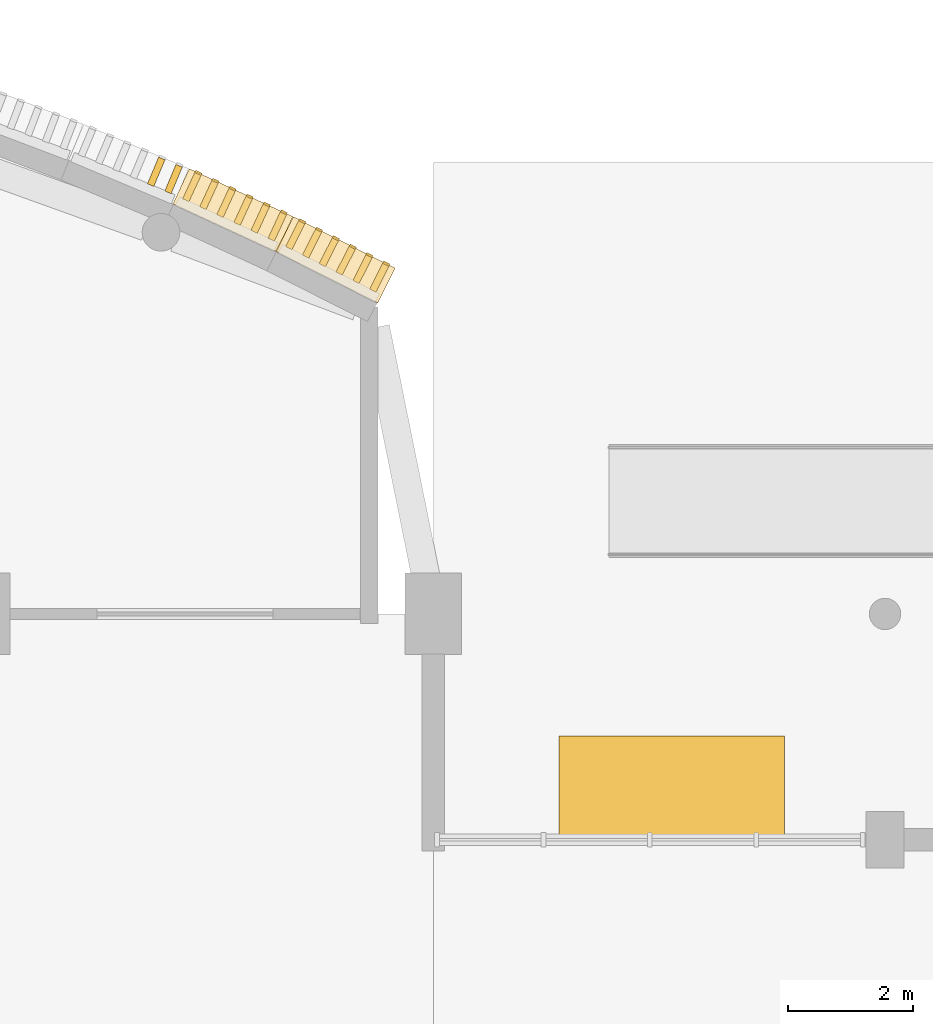
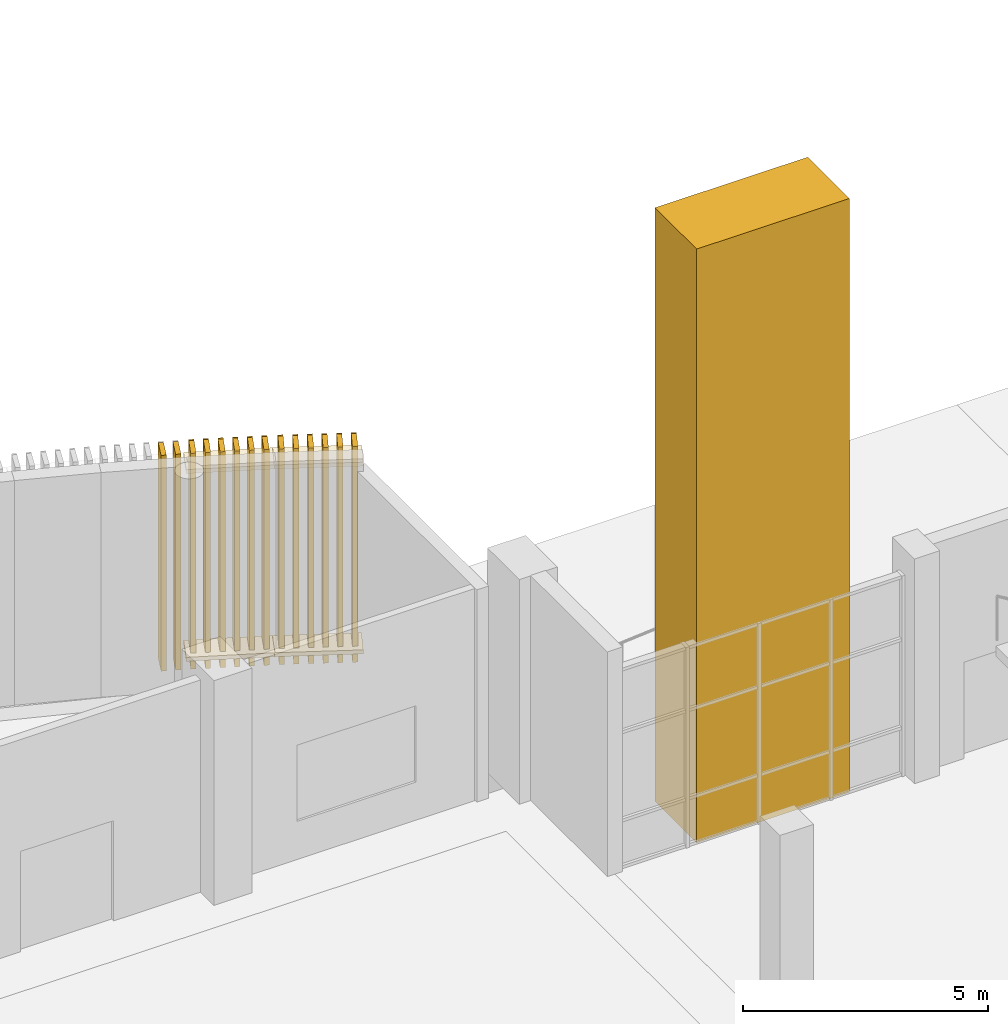
# One storey, part 79 of 85: 17 coverings, 14 shading devices.
"""IFC4 building model written with IfcOpenShell, lengths in metres."""

from ifc_helpers import new_model, si_unit, direction, frame, origin, origin_2d, place, context, subcontext, project, spatial, polyline, rectangle, outline, extrude, material, layer, layer_set, type_object, element, save


model = new_model("IFC4")

# Units and contexts
model_context = context("Model", 3, precision=1e-05, world=origin(), true_north=direction((0.0, 1.0)))
body_context = subcontext(model_context, "Body", "Model", "MODEL_VIEW")
ifc_project = project(units=[si_unit("LENGTHUNIT", "METRE"), si_unit("AREAUNIT", "SQUARE_METRE"), si_unit("VOLUMEUNIT", "CUBIC_METRE"), si_unit("PLANEANGLEUNIT", "RADIAN"), si_unit("MASSUNIT", "GRAM", prefix="KILO")], contexts=[model_context])

# Site, building, storey
site_placement = place(None, origin())
site = spatial("IfcSite", under=ifc_project, at=site_placement, CompositionType="ELEMENT")
building_placement = place(site_placement, origin())
building = spatial("IfcBuilding", under=site, at=building_placement, Name="Sardonyx Promenade Sports Hall", CompositionType="ELEMENT")
storey_placement = place(building_placement, origin())
storey = spatial("IfcBuildingStorey", under=building, at=storey_placement, Name="L00", CompositionType="ELEMENT", Elevation=0.0)

# Coverings
ifc_material_1 = material(Name="Glulam GL28h", Category="wood")
ifc_layer_1 = layer(ifc_material_1, 0.110107421875)
ifc_layer_set_1 = layer_set([ifc_layer_1], Name="Cov_Louvre_GL28h")
covering_type_1 = type_object("IfcCoveringType", Name="Cov_Louvre_GL28h", PredefinedType="MOLDING", material=ifc_layer_set_1)
for number, where, z_axis, x_axis, name in (
    (1, (76.00341796875, 110.8359375, 0.5), (0.0, 0.0, 1.0), (0.90783091315, -0.419336419989, 0.0), "Bowed louvre carrier rail L00 CH27 #1"),
    (2, (76.00341796875, 110.8359375, 5.179931640625), (0.0, 0.0, 1.0), (0.90783091315, -0.419336419989, 0.0), "Bowed louvre carrier rail L00 CH27 #2"),
):
    element("IfcCovering", number, at=place(storey_placement, frame(where, z_axis=z_axis, x_axis=x_axis)), inside=storey, type_object=covering_type_1, Name=name, PredefinedType="MOLDING", context=body_context, shape_type="SweptSolid", body=[
        extrude(rectangle(XDim=1.820068359375, YDim=0.6201171875, at=origin_2d()), origin(), (0.0, 0.0, 1.0), 0.10009765625),
    ])
for number, where, z_axis, x_axis, name in (
    (3, (75.45263671875, 111.431884765625, 0.199951171875), (0.0, 0.0, 1.0), (0.90783091315, -0.419336419989, 0.0), "Timber louvre nose molding L00 CH27 #1"),
    (4, (75.724853515625, 111.30615234375, 0.199951171875), (0.0, 0.0, 1.0), (0.90783091315, -0.419336419989, 0.0), "Timber louvre nose molding L00 CH27 #2"),
    (5, (75.997314453125, 111.18017578125, 0.199951171875), (0.0, 0.0, 1.0), (0.90783091315, -0.419336419989, 0.0), "Timber louvre nose molding L00 CH27 #3"),
    (6, (76.269775390625, 111.054443359375, 0.199951171875), (0.0, 0.0, 1.0), (0.90783091315, -0.419336419989, 0.0), "Timber louvre nose molding L00 CH27 #4"),
    (7, (76.5419921875, 110.9287109375, 0.199951171875), (0.0, 0.0, 1.0), (0.90783091315, -0.419336419989, 0.0), "Timber louvre nose molding L00 CH27 #5"),
    (8, (76.814453125, 110.802734375, 0.199951171875), (0.0, 0.0, 1.0), (0.90783091315, -0.419336419989, 0.0), "Timber louvre nose molding L00 CH27 #6"),
):
    element("IfcCovering", number, at=place(storey_placement, frame(where, z_axis=z_axis, x_axis=x_axis)), inside=storey, type_object=covering_type_1, Name=name, PredefinedType="MOLDING", context=body_context, shape_type="SweptSolid", body=[
        extrude(rectangle(XDim=0.110107421875, YDim=0.0400390625, at=origin_2d()), origin(), (0.0, 0.0, 1.0), 5.3798828125),
    ])
for number, where, z_axis, x_axis, name in (
    (9, (77.638916015625, 110.0458984375, 0.5), (0.0, 0.0, 1.0), (0.892773817004, -0.450505173857, 0.0), "Bowed louvre carrier rail L00 CH28 #1"),
    (10, (77.638916015625, 110.0458984375, 5.179931640625), (0.0, 0.0, 1.0), (0.892773817004, -0.450505173857, 0.0), "Bowed louvre carrier rail L00 CH28 #2"),
):
    element("IfcCovering", number, at=place(storey_placement, frame(where, z_axis=z_axis, x_axis=x_axis)), inside=storey, type_object=covering_type_1, Name=name, PredefinedType="MOLDING", context=body_context, shape_type="SweptSolid", body=[
        extrude(rectangle(XDim=1.820068359375, YDim=0.6201171875, at=origin_2d()), origin(), (0.0, 0.0, 1.0), 0.10009765625),
    ])
for number, where, z_axis, x_axis, name in (
    (11, (77.109130859375, 110.660400390625, 0.199951171875), (0.0, 0.0, 1.0), (0.892773817004, -0.450505173857, 0.0), "Timber louvre nose molding L00 CH28 #1"),
    (12, (77.376953125, 110.525390625, 0.199951171875), (0.0, 0.0, 1.0), (0.892773817004, -0.450505173857, 0.0), "Timber louvre nose molding L00 CH28 #2"),
    (13, (77.644775390625, 110.39013671875, 0.199951171875), (0.0, 0.0, 1.0), (0.892773817004, -0.450505173857, 0.0), "Timber louvre nose molding L00 CH28 #3"),
    (14, (77.91259765625, 110.2548828125, 0.199951171875), (0.0, 0.0, 1.0), (0.892773817004, -0.450505173857, 0.0), "Timber louvre nose molding L00 CH28 #4"),
    (15, (78.180419921875, 110.119873046875, 0.199951171875), (0.0, 0.0, 1.0), (0.892773817004, -0.450505173857, 0.0), "Timber louvre nose molding L00 CH28 #5"),
    (16, (78.4482421875, 109.984619140625, 0.199951171875), (0.0, 0.0, 1.0), (0.892773817004, -0.450505173857, 0.0), "Timber louvre nose molding L00 CH28 #6"),
):
    element("IfcCovering", number, at=place(storey_placement, frame(where, z_axis=z_axis, x_axis=x_axis)), inside=storey, type_object=covering_type_1, Name=name, PredefinedType="MOLDING", context=body_context, shape_type="SweptSolid", body=[
        extrude(rectangle(XDim=0.110107421875, YDim=0.0400390625, at=origin_2d()), origin(), (0.0, 0.0, 1.0), 5.3798828125),
    ])
ifc_material_2 = material(Name="Carved Cape red sandstone ashlar", Category="masonry")
ifc_layer_2 = layer(ifc_material_2, 0.239990234375)
ifc_layer_set_2 = layer_set([ifc_layer_2], Name="Cov_Mughal_Arch")
covering_type_2 = type_object("IfcCoveringType", Name="Cov_Mughal_Arch", PredefinedType="CLADDING", material=ifc_layer_set_2)
covering_placement = place(storey_placement, origin())
element("IfcCovering", 17, at=covering_placement, inside=storey, type_object=covering_type_2, Name="Monumental Pishtaq sandstone portal pier W", PredefinedType="CLADDING", context=body_context, shape_type="SweptSolid", body=[
    extrude(outline(polyline([(81.199951171875, 100.75), (84.800048828125, 100.75), (84.800048828125, 102.449951171875), (81.199951171875, 102.449951171875), (81.199951171875, 100.75)])), origin(), (0.0, 0.0, 1.0), 14.800048828125),
])

# Shading devices
ifc_material_3 = material(Name="Glulam GL28h", Category="wood")
shading_device_type = type_object("IfcShadingDeviceType", Name="Shade_Louvre_GL28h", PredefinedType="USERDEFINED", material=ifc_material_3)
for number, where, z_axis, x_axis, name in (
    (18, (74.779693, 111.449768, 0.2), (0.0, 0.0, 1.0), (0.92180024, -0.38766521, 0.0), "Timber louvre TL01 L00 CH26 #5"),
    (19, (75.056233, 111.333468, 0.2), (0.0, 0.0, 1.0), (0.92180024, -0.38766521, 0.0), "Timber louvre TL01 L00 CH26 #6"),
    (20, (75.34778, 111.204874, 0.2), (0.0, 0.0, 1.0), (0.90783091, -0.41933642, 0.0), "Timber louvre TL01 L00 CH27 #1"),
    (21, (75.620129, 111.079074, 0.2), (0.0, 0.0, 1.0), (0.90783091, -0.41933642, 0.0), "Timber louvre TL01 L00 CH27 #2"),
    (22, (75.892479, 110.953273, 0.2), (0.0, 0.0, 1.0), (0.90783091, -0.41933642, 0.0), "Timber louvre TL01 L00 CH27 #3"),
    (23, (76.164828, 110.827472, 0.2), (0.0, 0.0, 1.0), (0.90783091, -0.41933642, 0.0), "Timber louvre TL01 L00 CH27 #4"),
    (24, (76.437177, 110.701671, 0.2), (0.0, 0.0, 1.0), (0.90783091, -0.41933642, 0.0), "Timber louvre TL01 L00 CH27 #5"),
    (25, (76.709527, 110.57587, 0.2), (0.0, 0.0, 1.0), (0.90783091, -0.41933642, 0.0), "Timber louvre TL01 L00 CH27 #6"),
    (26, (76.996449, 110.437263, 0.2), (0.0, 0.0, 1.0), (0.89277382, -0.45050517, 0.0), "Timber louvre TL01 L00 CH28 #1"),
    (27, (77.264281, 110.302112, 0.2), (0.0, 0.0, 1.0), (0.89277382, -0.45050517, 0.0), "Timber louvre TL01 L00 CH28 #2"),
    (28, (77.532113, 110.16696, 0.2), (0.0, 0.0, 1.0), (0.89277382, -0.45050517, 0.0), "Timber louvre TL01 L00 CH28 #3"),
    (29, (77.799945, 110.031809, 0.2), (0.0, 0.0, 1.0), (0.89277382, -0.45050517, 0.0), "Timber louvre TL01 L00 CH28 #4"),
    (30, (78.067777, 109.896657, 0.2), (0.0, 0.0, 1.0), (0.89277382, -0.45050517, 0.0), "Timber louvre TL01 L00 CH28 #5"),
    (31, (78.33561, 109.761506, 0.2), (0.0, 0.0, 1.0), (0.89277382, -0.45050517, 0.0), "Timber louvre TL01 L00 CH28 #6"),
):
    element("IfcShadingDevice", number, at=place(storey_placement, frame(where, z_axis=z_axis, x_axis=x_axis)), inside=storey, type_object=shading_device_type, material=ifc_material_3, Name=name, ObjectType="LOUVRE", PredefinedType="USERDEFINED", context=body_context, shape_type="SweptSolid", body=[
        extrude(rectangle(XDim=0.11, YDim=0.46), origin(), (0.0, 0.0, 1.0), 5.38),
    ])

save(model, "model.ifc")
